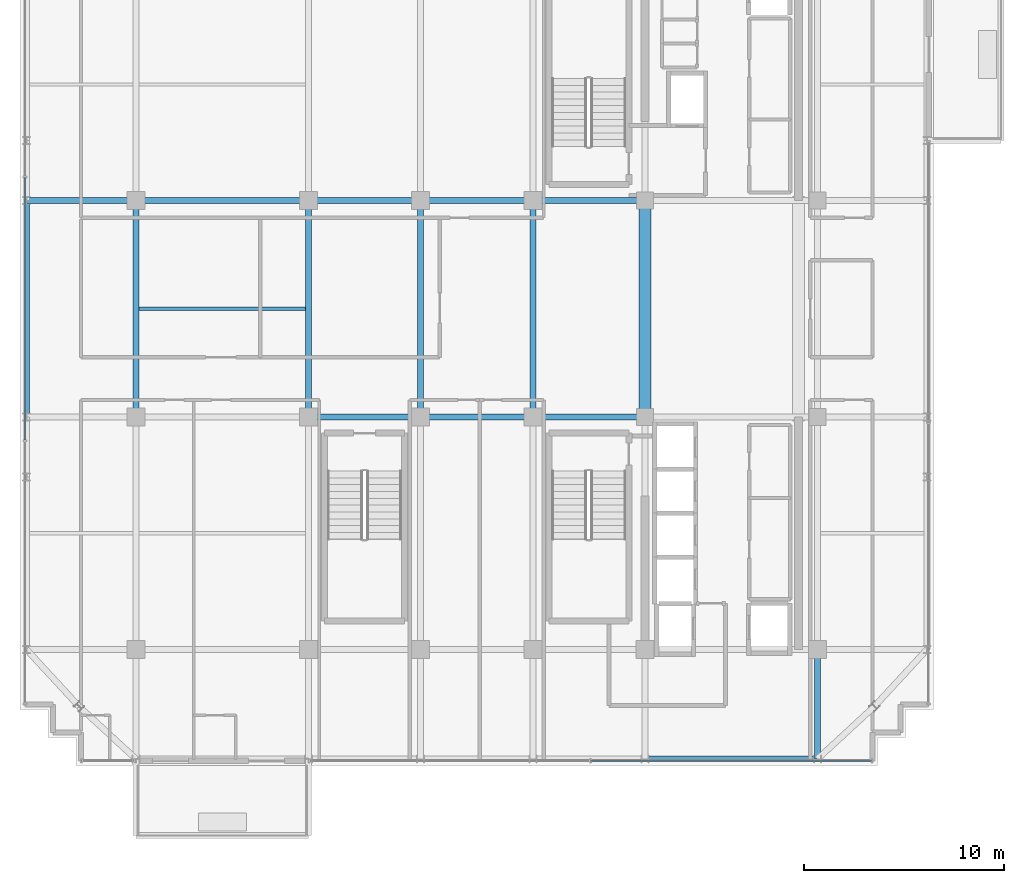
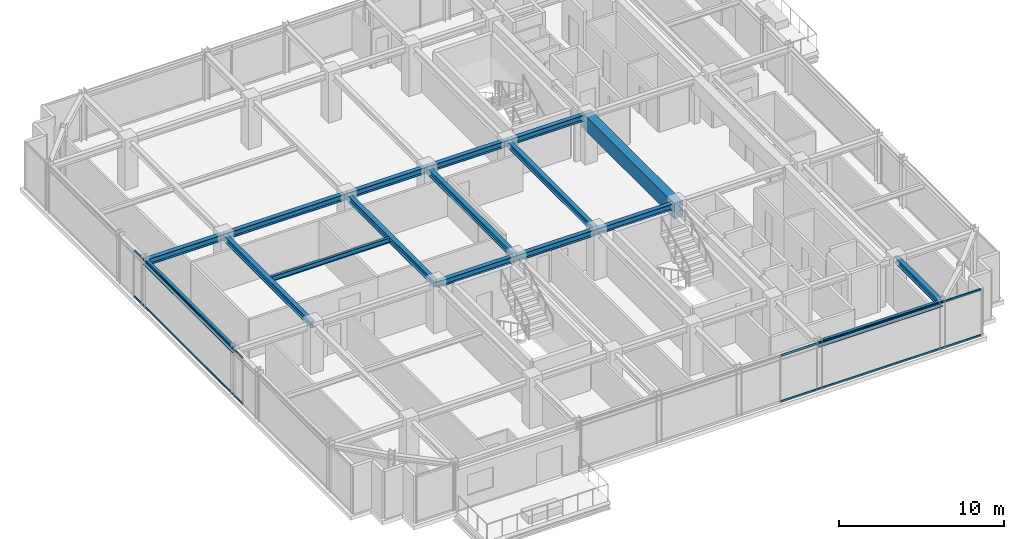
# One storey, part 10 of 33: 17 beams, 4 members, 2 elements without a shape of their own.
"""IFC4 building model written with IfcOpenShell, lengths in metres."""

import ifcopenshell
import ifcopenshell.guid

model = None  # the IFC model being written
_history = None  # IfcOwnerHistory: only IFC2X3 demands one
_inside = {}  # id of a spatial element -> (the spatial element, [elements in it])
_under = {}  # id of a project, library or spatial element -> (it, [spatial elements below it])
_declared = {}  # id of a project -> (the project, [libraries it declares])
_typed = {}  # id of a type object -> (the type object, [elements of that type])
_made_of = {}  # id of a material, layer set ... -> (it, [elements and type objects made of it])


def new_model(schema):
    """Start an empty IFC model of exactly this schema.

    Asked for "IFC4X3", IfcOpenShell would pick the latest addendum, in which some entities
    have other attributes; the version numbers below select the first issue.
    IFC2X3 requires an IfcOwnerHistory on every rooted entity: one is made here for all.
    """
    global model, _history
    if schema == "IFC4X3":
        model = ifcopenshell.file(schema_version=(4, 3, 0, 0))
    else:
        model = ifcopenshell.file(schema=schema)
    _inside.clear()
    _under.clear()
    _declared.clear()
    _typed.clear()
    _made_of.clear()
    _history = None
    if model.schema == "IFC2X3":
        org = make("IfcOrganization", Name="unknown")
        user = make(
            "IfcPersonAndOrganization",
            ThePerson=make("IfcPerson", FamilyName="unknown"),
            TheOrganization=org,
        )
        app = make(
            "IfcApplication",
            ApplicationDeveloper=org,
            Version="unknown",
            ApplicationFullName="unknown",
            ApplicationIdentifier="unknown",
        )
        _history = make(
            "IfcOwnerHistory",
            OwningUser=user,
            OwningApplication=app,
            ChangeAction="ADDED",
            CreationDate=0,
        )
    return model


def make(cls, **values):
    """One entity of the class cls with the attributes given. An attribute that is None is left unset."""
    return model.create_entity(
        cls, **{name: value for name, value in values.items() if value is not None}
    )


def rooted(cls, **values):
    """An entity with a GlobalId (a new one), such as an element, a storey or a relation."""
    return make(cls, GlobalId=ifcopenshell.guid.new(), OwnerHistory=_history, **values)


def si_unit(unit_type, name, prefix=None):
    """IfcSIUnit, for example si_unit("LENGTHUNIT", "METRE", prefix="MILLI")."""
    return make("IfcSIUnit", UnitType=unit_type, Prefix=prefix, Name=name)


def assignment(units):
    """IfcUnitAssignment: the units of a project."""
    return None if units is None else make("IfcUnitAssignment", Units=units)


def point(xyz):
    """IfcCartesianPoint."""
    return None if xyz is None else make("IfcCartesianPoint", Coordinates=xyz)


def direction(xyz):
    """IfcDirection."""
    return None if xyz is None else make("IfcDirection", DirectionRatios=xyz)


def frame(location, z_axis=None, x_axis=None):
    """IfcAxis2Placement3D, a coordinate frame: its origin and axes. An axis left out is left unset."""
    return make(
        "IfcAxis2Placement3D",
        Location=point(location),
        Axis=direction(z_axis),
        RefDirection=direction(x_axis),
    )


def frame_2d(location, x_axis=None):
    """IfcAxis2Placement2D, a coordinate frame in the plane: its origin and x axis."""
    return make(
        "IfcAxis2Placement2D", Location=point(location), RefDirection=direction(x_axis)
    )


def origin():
    """The frame at (0, 0, 0) with its axes left unset."""
    return frame((0.0, 0.0, 0.0))


def origin_2d():
    """The frame at (0, 0) in the plane with its x axis left unset."""
    return frame_2d((0.0, 0.0))


def place(relative_to, where):
    """IfcLocalPlacement: puts the frame where relative to a parent placement (None: the world)."""
    return make(
        "IfcLocalPlacement", PlacementRelTo=relative_to, RelativePlacement=where
    )


def context(
    kind, dimensions, precision=None, world=None, true_north=None, identifier=None
):
    """IfcGeometricRepresentationContext, for example the 3D "Model" context."""
    return make(
        "IfcGeometricRepresentationContext",
        ContextIdentifier=identifier,
        ContextType=kind,
        CoordinateSpaceDimension=dimensions,
        Precision=precision,
        WorldCoordinateSystem=world,
        TrueNorth=true_north,
    )


def subcontext(parent, identifier, kind, view, scale=None):
    """IfcGeometricRepresentationSubContext, for example "Body" below "Model"."""
    return make(
        "IfcGeometricRepresentationSubContext",
        ContextIdentifier=identifier,
        ContextType=kind,
        ParentContext=parent,
        TargetScale=scale,
        TargetView=view,
    )


def project(units=None, contexts=None):
    """IfcProject with its units and contexts."""
    return rooted(
        "IfcProject",
        Name="project",
        RepresentationContexts=contexts,
        UnitsInContext=assignment(units),
    )


def spatial(cls, under=None, at=None, **own):
    """A site, building, storey or space (cls), placed at a placement, below another one or the project."""
    s = rooted(cls, ObjectPlacement=at, **own)
    if under is not None:
        _under.setdefault(under.id(), (under, []))[1].append(s)
    return s


def profile(cls, at=None, kind="AREA", **sizes):
    """A parametric profile (cls). Its sizes go by their IFC names, for example OverallWidth=200.0."""
    return make(cls, ProfileType=kind, Position=at, **sizes)


def rectangle(**sizes):
    """IfcRectangleProfileDef."""
    return profile("IfcRectangleProfileDef", **sizes)


def hollow_rectangle(**sizes):
    """IfcRectangleHollowProfileDef."""
    return profile("IfcRectangleHollowProfileDef", **sizes)


def i_section(**sizes):
    """IfcIShapeProfileDef."""
    return profile("IfcIShapeProfileDef", **sizes)


def extrude(swept, where, along, depth):
    """IfcExtrudedAreaSolid: the profile swept, set in the frame where, extruded along a direction by depth."""
    return make(
        "IfcExtrudedAreaSolid",
        SweptArea=swept,
        Position=where,
        ExtrudedDirection=direction(along),
        Depth=depth,
    )


def shape(context_of_items, identifier, shape_type, items):
    """IfcShapeRepresentation: the items that make up one representation, for example the "Body"."""
    return make(
        "IfcShapeRepresentation",
        ContextOfItems=context_of_items,
        RepresentationIdentifier=identifier,
        RepresentationType=shape_type,
        Items=items,
    )


def source(mapping_origin, context_of_items, identifier, shape_type, items):
    """IfcRepresentationMap: a shape defined once, which mapped items show again and again."""
    return make(
        "IfcRepresentationMap",
        MappingOrigin=mapping_origin,
        MappedRepresentation=shape(context_of_items, identifier, shape_type, items),
    )


def transform(
    local_origin,
    x_axis=None,
    y_axis=None,
    z_axis=None,
    scale=None,
    scale2=None,
    scale3=None,
    uniform=True,
):
    """IfcCartesianTransformationOperator3D, or its non-uniform kind. x_axis, y_axis, z_axis: its Axis1, 2, 3."""
    if uniform:
        return make(
            "IfcCartesianTransformationOperator3D",
            Axis1=direction(x_axis),
            Axis2=direction(y_axis),
            LocalOrigin=point(local_origin),
            Scale=scale,
            Axis3=direction(z_axis),
        )
    return make(
        "IfcCartesianTransformationOperator3DnonUniform",
        Axis1=direction(x_axis),
        Axis2=direction(y_axis),
        LocalOrigin=point(local_origin),
        Scale=scale,
        Axis3=direction(z_axis),
        Scale2=scale2,
        Scale3=scale3,
    )


def mapped(mapping_source, mapping_target):
    """IfcMappedItem: shows the shape of a source again, moved by a transform."""
    return make(
        "IfcMappedItem", MappingSource=mapping_source, MappingTarget=mapping_target
    )


def material(Name=None, Category=None):
    """IfcMaterial."""
    return make("IfcMaterial", Name=Name, Category=Category)


def material_profile(
    of_material, cross_section, Name=None, Category=None, Priority=None
):
    """IfcMaterialProfile: a cross section and its material."""
    return make(
        "IfcMaterialProfile",
        Name=Name,
        Material=of_material,
        Profile=cross_section,
        Priority=Priority,
        Category=Category,
    )


def profile_set(profiles, Name=None, composite=None):
    """IfcMaterialProfileSet."""
    return make(
        "IfcMaterialProfileSet",
        Name=Name,
        MaterialProfiles=profiles,
        CompositeProfile=composite,
    )


def made_of(thing, what):
    """Note that an element or type object is made of a material, layer set ...; save() writes the relation."""
    if what is not None:
        _made_of.setdefault(what.id(), (what, []))[1].append(thing)
    return thing


def type_object(cls, material=None, **own):
    """A type object (cls), such as IfcWallType, which elements share."""
    return made_of(rooted(cls, **own), material)


def element(
    cls,
    number,
    at=None,
    inside=None,
    cuts=None,
    type_object=None,
    material=None,
    context=None,
    identifier="Body",
    shape_type=None,
    held_by="IfcProductDefinitionShape",
    body=None,
    shapes=None,
    **own,
):
    """One element of the class cls, such as IfcWall. Its Tag is "e" and its number.

    at: its placement. inside: the storey or other place that contains it. cuts: it is an
    opening in that element (IfcRelVoidsElement). A single representation is given by context,
    identifier, shape_type and body (its items); several are given by shapes. held_by: the class
    of the entity that holds the representations. save() writes the other relations.
    """
    e = rooted(cls, Tag="e%d" % number, ObjectPlacement=at, **own)
    if body is not None:
        shapes = [shape(context, identifier, shape_type, body)]
    if shapes is not None:
        e.Representation = make(held_by, Representations=shapes)
    if inside is not None:
        _inside.setdefault(inside.id(), (inside, []))[1].append(e)
    if cuts is not None:
        rooted(
            "IfcRelVoidsElement", RelatingBuildingElement=cuts, RelatedOpeningElement=e
        )
    if type_object is not None:
        _typed.setdefault(type_object.id(), (type_object, []))[1].append(e)
    return made_of(e, material)


def aggregate(whole, parts):
    """IfcRelAggregates: a whole, such as a stair, and the parts it consists of."""
    return rooted("IfcRelAggregates", RelatingObject=whole, RelatedObjects=parts)


def save(model, path):
    """Write the relations noted so far, then the file.

    IfcRelAggregates (storeys below a building ...), IfcRelContainedInSpatialStructure (elements
    in a storey), IfcRelDefinesByType, IfcRelAssociatesMaterial and IfcRelDeclares: one each for
    every whole, place, type object, material and project.
    """
    for whole, parts in _under.values():
        aggregate(whole, parts)
    for where, things in _inside.values():
        rooted(
            "IfcRelContainedInSpatialStructure",
            RelatedElements=things,
            RelatingStructure=where,
        )
    for kind, things in _typed.values():
        rooted("IfcRelDefinesByType", RelatedObjects=things, RelatingType=kind)
    for what, things in _made_of.values():
        rooted("IfcRelAssociatesMaterial", RelatedObjects=things, RelatingMaterial=what)
    for by, libraries in _declared.values():
        rooted("IfcRelDeclares", RelatingContext=by, RelatedDefinitions=libraries)
    model.write(path)


model = new_model("IFC4")

# Units and contexts
model_context = context("Model", 3, precision=1e-05, world=origin(), true_north=direction((0.0, 1.0)))
body_context = subcontext(model_context, "Body", "Model", "MODEL_VIEW")
ifc_project = project(units=[si_unit("LENGTHUNIT", "METRE"), si_unit("AREAUNIT", "SQUARE_METRE"), si_unit("VOLUMEUNIT", "CUBIC_METRE"), si_unit("PLANEANGLEUNIT", "RADIAN"), si_unit("MASSUNIT", "GRAM", prefix="KILO")], contexts=[model_context])

# Site, building, storey
site_placement = place(None, origin())
site = spatial("IfcSite", under=ifc_project, at=site_placement, CompositionType="ELEMENT")
building_placement = place(site_placement, origin())
building = spatial("IfcBuilding", under=site, at=building_placement, Name="Nahalor Promenade Grand Hotel", CompositionType="ELEMENT")
storey_placement = place(building_placement, frame((0.0, 0.0, 315.75)))
storey = spatial("IfcBuildingStorey", under=building, at=storey_placement, Name="L81", CompositionType="ELEMENT", Elevation=315.75)

# Beams
ifc_material_1 = material(Name="Concrete B-60 (C50/60)", Category="concrete")
ifc_material_profile_1 = material_profile(ifc_material_1, rectangle(XDim=0.6, YDim=1.1, at=origin_2d()), Name="RC 600x1100")
ifc_profile_set_1 = profile_set([ifc_material_profile_1], Name="Concrete B-60 (C50/60)")
beam_type_1 = type_object("IfcBeamType", Name="Beam-Lintel-RC1100", PredefinedType="LINTEL", material=ifc_profile_set_1)
shared_shape_1 = source(origin(), body_context, "Body", "SweptSolid", [
    extrude(rectangle(XDim=0.6, YDim=1.1, at=origin_2d()), origin(), (0.0, 0.0, 1.0), 11.2001953125),
])
beam_1_placement = place(storey_placement, frame((8.39990234375, -5.60009765625, 2.949951171875), z_axis=(0.0, 1.0, 0.0), x_axis=(-1.0, 0.0, 0.0)))
element("IfcBeam", 1, at=beam_1_placement, inside=storey, type_object=beam_type_1, Name="BM-L81-LINT-W", PredefinedType="LINTEL", context=body_context, shape_type="MappedRepresentation", body=[
    mapped(shared_shape_1, transform((0.0, 0.0, 0.0), scale=1.0)),
])
ifc_material_2 = material(Name="Steel S355JR", Category="steel")
ifc_material_profile_2 = material_profile(ifc_material_2, i_section(OverallWidth=0.3, OverallDepth=0.45, WebThickness=0.014, FlangeThickness=0.026, at=origin_2d()), Name="HEB 450")
ifc_profile_set_2 = profile_set([ifc_material_profile_2], Name="Steel S355JR")
beam_type_2 = type_object("IfcBeamType", Name="Beam-Girder-HEB450", PredefinedType="BEAM", material=ifc_profile_set_2)
shared_shape_2 = source(origin(), body_context, "Body", "SweptSolid", [
    extrude(i_section(OverallWidth=0.3, OverallDepth=0.45, WebThickness=0.014, FlangeThickness=0.026, at=origin_2d()), origin(), (0.0, 0.0, 1.0), 8.60009765625),
])
beam_2_placement = place(storey_placement, frame((-17.0, 5.39990234375, 3.27490234375), z_axis=(1.0, 0.0, 0.0), x_axis=(0.0, 1.0, 0.0)))
element("IfcBeam", 2, at=beam_2_placement, inside=storey, type_object=beam_type_2, Name="BM-L81-GX-2-1", PredefinedType="BEAM", context=body_context, shape_type="MappedRepresentation", body=[
    mapped(shared_shape_2, transform((0.0, 0.0, 0.0), scale=1.0)),
])
shared_shape_3 = source(origin(), body_context, "Body", "SweptSolid", [
    extrude(i_section(OverallWidth=0.3, OverallDepth=0.45, WebThickness=0.014, FlangeThickness=0.026, at=origin_2d()), origin(), (0.0, 0.0, 1.0), 5.599853515625),
])
for number, where, z_axis, x_axis, name in (
    (3, (-8.39990234375, -5.39990234375, 3.27490234375), (1.0, 0.0, 0.0), (0.0, 1.0, 0.0), "BM-L81-GX-1-2"),
    (4, (2.800048828125, -5.39990234375, 3.27490234375), (1.0, 0.0, 0.0), (0.0, 1.0, 0.0), "BM-L81-GX-1-4"),
    (5, (-8.39990234375, 5.39990234375, 3.27490234375), (1.0, 0.0, 0.0), (0.0, 1.0, 0.0), "BM-L81-GX-2-2"),
    (6, (2.800048828125, 5.39990234375, 3.27490234375), (1.0, 0.0, 0.0), (0.0, 1.0, 0.0), "BM-L81-GX-2-4"),
):
    element("IfcBeam", number, at=place(storey_placement, frame(where, z_axis=z_axis, x_axis=x_axis)), inside=storey, type_object=beam_type_2, Name=name, PredefinedType="BEAM", context=body_context, shape_type="MappedRepresentation", body=[
        mapped(shared_shape_3, transform((0.0, 0.0, 0.0), scale=1.0)),
    ])
shared_shape_4 = source(origin(), body_context, "Body", "SweptSolid", [
    extrude(i_section(OverallWidth=0.3, OverallDepth=0.45, WebThickness=0.014, FlangeThickness=0.026, at=origin_2d()), origin(), (0.0, 0.0, 1.0), 5.60009765625),
])
for number, where, z_axis, x_axis, name in (
    (7, (-2.800048828125, -5.39990234375, 3.27490234375), (1.0, 0.0, 0.0), (0.0, 1.0, 0.0), "BM-L81-GX-1-3"),
    (8, (-2.800048828125, 5.39990234375, 3.27490234375), (1.0, 0.0, 0.0), (0.0, 1.0, 0.0), "BM-L81-GX-2-3"),
):
    element("IfcBeam", number, at=place(storey_placement, frame(where, z_axis=z_axis, x_axis=x_axis)), inside=storey, type_object=beam_type_2, Name=name, PredefinedType="BEAM", context=body_context, shape_type="MappedRepresentation", body=[
        mapped(shared_shape_4, transform((0.0, 0.0, 0.0), scale=1.0)),
    ])
shared_shape_5 = source(origin(), body_context, "Body", "SweptSolid", [
    extrude(i_section(OverallWidth=0.3, OverallDepth=0.45, WebThickness=0.014, FlangeThickness=0.026, at=origin_2d()), origin(), (0.0, 0.0, 1.0), 10.7998046875),
])
for number, where, z_axis, x_axis, name in (
    (9, (-17.0, -5.39990234375, 3.27490234375), (0.0, 1.0, 0.0), (-1.0, 0.0, 0.0), "BM-L81-GY-0-2"),
    (10, (-8.39990234375, -5.39990234375, 3.27490234375), (0.0, 1.0, 0.0), (-1.0, 0.0, 0.0), "BM-L81-GY-1-2"),
    (11, (-2.800048828125, -5.39990234375, 3.27490234375), (0.0, 1.0, 0.0), (-1.0, 0.0, 0.0), "BM-L81-GY-2-2"),
    (12, (2.800048828125, -5.39990234375, 3.27490234375), (0.0, 1.0, 0.0), (-1.0, 0.0, 0.0), "BM-L81-GY-3-2"),
):
    element("IfcBeam", number, at=place(storey_placement, frame(where, z_axis=z_axis, x_axis=x_axis)), inside=storey, type_object=beam_type_2, Name=name, PredefinedType="BEAM", context=body_context, shape_type="MappedRepresentation", body=[
        mapped(shared_shape_5, transform((0.0, 0.0, 0.0), scale=1.0)),
    ])
shared_shape_6 = source(origin(), body_context, "Body", "SweptSolid", [
    extrude(i_section(OverallWidth=0.3, OverallDepth=0.45, WebThickness=0.014, FlangeThickness=0.026, at=origin_2d()), origin(), (0.0, 0.0, 1.0), 5.47998046875),
])
for number, where, z_axis, x_axis, name in (
    (13, (-22.47998046875, 5.39990234375, 3.27490234375), (1.0, 0.0, 0.0), (0.0, 1.0, 0.0), "BM-L81-GX-2-0"),
    (14, (17.0, -22.47998046875, 3.27490234375), (0.0, 1.0, 0.0), (-1.0, 0.0, 0.0), "BM-L81-GY-5-0"),
):
    element("IfcBeam", number, at=place(storey_placement, frame(where, z_axis=z_axis, x_axis=x_axis)), inside=storey, type_object=beam_type_2, Name=name, PredefinedType="BEAM", context=body_context, shape_type="MappedRepresentation", body=[
        mapped(shared_shape_6, transform((0.0, 0.0, 0.0), scale=1.0)),
    ])
ifc_material_profile_3 = material_profile(ifc_material_2, i_section(OverallWidth=0.3, OverallDepth=0.36, WebThickness=0.0125, FlangeThickness=0.0225, at=origin_2d()), Name="HEB 360")
ifc_profile_set_3 = profile_set([ifc_material_profile_3], Name="Steel S355JR")
beam_type_3 = type_object("IfcBeamType", Name="Beam-Spandrel-HEB360", PredefinedType="SPANDREL", material=ifc_profile_set_3)
shared_shape_7 = source(origin(), body_context, "Body", "SweptSolid", [
    extrude(i_section(OverallWidth=0.3, OverallDepth=0.36, WebThickness=0.0125, FlangeThickness=0.0225, at=origin_2d()), origin(), (0.0, 0.0, 1.0), 8.60009765625),
])
beam_3_placement = place(storey_placement, frame((8.39990234375, -22.47998046875, 3.320068359375), z_axis=(1.0, 0.0, 0.0), x_axis=(0.0, 1.0, 0.0)))
element("IfcBeam", 15, at=beam_3_placement, inside=storey, type_object=beam_type_3, Name="BM-L81-SP-S-4", PredefinedType="SPANDREL", context=body_context, shape_type="MappedRepresentation", body=[
    mapped(shared_shape_7, transform((0.0, 0.0, 0.0), scale=1.0)),
])
shared_shape_8 = source(origin(), body_context, "Body", "SweptSolid", [
    extrude(i_section(OverallWidth=0.3, OverallDepth=0.36, WebThickness=0.0125, FlangeThickness=0.0225, at=origin_2d()), origin(), (0.0, 0.0, 1.0), 10.7998046875),
])
beam_4_placement = place(storey_placement, frame((-22.47998046875, -5.39990234375, 3.320068359375), z_axis=(0.0, 1.0, 0.0), x_axis=(-1.0, 0.0, 0.0)))
element("IfcBeam", 16, at=beam_4_placement, inside=storey, type_object=beam_type_3, Name="BM-L81-SP-W-2", PredefinedType="SPANDREL", context=body_context, shape_type="MappedRepresentation", body=[
    mapped(shared_shape_8, transform((0.0, 0.0, 0.0), scale=1.0)),
])
ifc_material_profile_4 = material_profile(ifc_material_2, i_section(OverallWidth=0.17, OverallDepth=0.36, WebThickness=0.008, FlangeThickness=0.0127, at=origin_2d()), Name="IPE 360")
ifc_profile_set_4 = profile_set([ifc_material_profile_4], Name="Steel S355JR")
beam_type_4 = type_object("IfcBeamType", Name="Beam-Joist-IPE360", PredefinedType="JOIST", material=ifc_profile_set_4)
shared_shape_9 = source(origin(), body_context, "Body", "SweptSolid", [
    extrude(i_section(OverallWidth=0.17, OverallDepth=0.36, WebThickness=0.008, FlangeThickness=0.0127, at=origin_2d()), origin(), (0.0, 0.0, 1.0), 8.300048828125),
])
beam_5_placement = place(storey_placement, frame((-16.85009765625, 0.0, 3.320068359375), z_axis=(1.0, 0.0, 0.0), x_axis=(0.0, 1.0, 0.0)))
element("IfcBeam", 17, at=beam_5_placement, inside=storey, type_object=beam_type_4, Name="BM-L81-JSC-0", PredefinedType="JOIST", context=body_context, shape_type="MappedRepresentation", body=[
    mapped(shared_shape_9, transform((0.0, 0.0, 0.0), scale=1.0)),
])

# Curtain wall, members
ifc_material_3 = material(Name="Anodised Bronze Aluminium EN AW-6063 T6", Category="aluminium")
curtain_wall_type = type_object("IfcCurtainWallType", Name="CW2 Typical Hotel Flush Bronze Unitised Curtain Wall", PredefinedType="USERDEFINED", material=ifc_material_3)
curtain_wall_1_placement = place(storey_placement, origin())
curtain_wall_1 = element("IfcCurtainWall", 18, at=curtain_wall_1_placement, inside=storey, type_object=curtain_wall_type, Name="L81 Curtain Wall CW-L81-S-3", ObjectType="UNITISED_CURTAIN_WALL", PredefinedType="USERDEFINED")
ifc_material_profile_5 = material_profile(ifc_material_3, hollow_rectangle(XDim=0.065, YDim=0.13, WallThickness=0.004, at=origin_2d()), Name="CWT 65x130x4")
ifc_profile_set_5 = profile_set([ifc_material_profile_5], Name="Anodised Bronze Aluminium EN AW-6063 T6")
member_type = type_object("IfcMemberType", Name="CWT2 Typical Bronze Transom 65x130", PredefinedType="USERDEFINED", material=ifc_profile_set_5)
shared_shape_10 = source(origin(), body_context, "Body", "SweptSolid", [
    extrude(hollow_rectangle(XDim=0.065, YDim=0.13, WallThickness=0.004, at=origin_2d()), origin(), (0.0, 0.0, 1.0), 13.982666015625),
])
member_1_placement = place(storey_placement, frame((5.71240234375, -22.56005859375, 0.06494140625), z_axis=(1.0, 0.0, 0.0), x_axis=(0.0, 1.0, 0.0)))
member_1 = element("IfcMember", 19, at=member_1_placement, type_object=member_type, Name="CW-L81-S-3 Transom 1-0", ObjectType="TRANSOM", PredefinedType="USERDEFINED", context=body_context, shape_type="MappedRepresentation", body=[
    mapped(shared_shape_10, transform((0.0, 0.0, 0.0), scale=1.0)),
])
member_2_placement = place(storey_placement, frame((5.71240234375, -22.56005859375, 3.43505859375), z_axis=(1.0, 0.0, 0.0), x_axis=(0.0, 1.0, 0.0)))
member_2 = element("IfcMember", 20, at=member_2_placement, type_object=member_type, Name="CW-L81-S-3 Transom 1-1", ObjectType="TRANSOM", PredefinedType="USERDEFINED", context=body_context, shape_type="MappedRepresentation", body=[
    mapped(shared_shape_10, transform((0.0, 0.0, 0.0), scale=1.0)),
])
aggregate(curtain_wall_1, [member_1, member_2])

curtain_wall_2_placement = place(storey_placement, origin())
curtain_wall_2 = element("IfcCurtainWall", 21, at=curtain_wall_2_placement, inside=storey, type_object=curtain_wall_type, Name="L81 Curtain Wall CW-L81-W-1", ObjectType="UNITISED_CURTAIN_WALL", PredefinedType="USERDEFINED")
shared_shape_11 = source(origin(), body_context, "Body", "SweptSolid", [
    extrude(hollow_rectangle(XDim=0.065, YDim=0.13, WallThickness=0.004, at=origin_2d()), origin(), (0.0, 0.0, 1.0), 13.1083984375),
])
member_3_placement = place(storey_placement, frame((-22.56005859375, -6.55419921875, 0.06494140625), z_axis=(0.0, 1.0, 0.0), x_axis=(-1.0, 0.0, 0.0)))
member_3 = element("IfcMember", 22, at=member_3_placement, type_object=member_type, Name="CW-L81-W-1 Transom 1-0", ObjectType="TRANSOM", PredefinedType="USERDEFINED", context=body_context, shape_type="MappedRepresentation", body=[
    mapped(shared_shape_11, transform((0.0, 0.0, 0.0), scale=1.0)),
])
member_4_placement = place(storey_placement, frame((-22.56005859375, -6.55419921875, 3.43505859375), z_axis=(0.0, 1.0, 0.0), x_axis=(-1.0, 0.0, 0.0)))
member_4 = element("IfcMember", 23, at=member_4_placement, type_object=member_type, Name="CW-L81-W-1 Transom 1-1", ObjectType="TRANSOM", PredefinedType="USERDEFINED", context=body_context, shape_type="MappedRepresentation", body=[
    mapped(shared_shape_11, transform((0.0, 0.0, 0.0), scale=1.0)),
])
aggregate(curtain_wall_2, [member_3, member_4])

save(model, "model.ifc")
